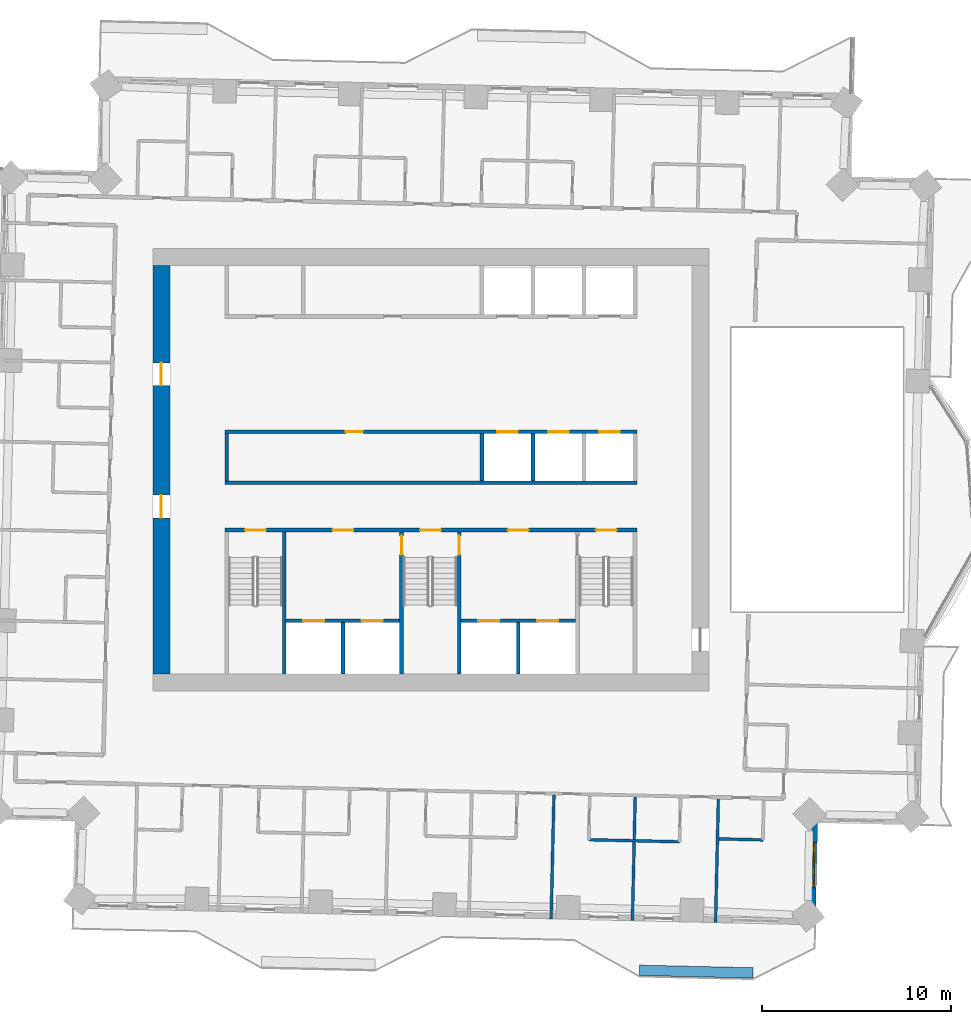
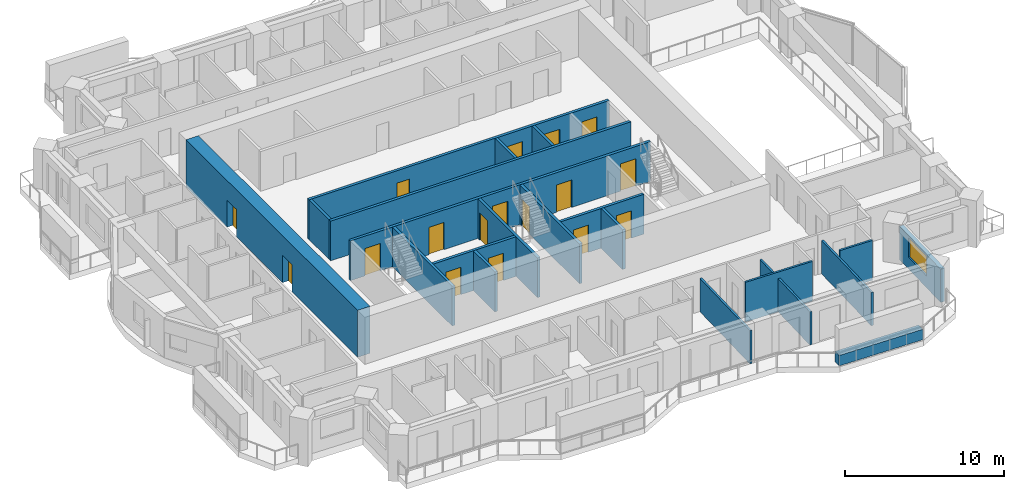
# One storey, part 6 of 14: 21 walls, 17 doors, 1 window, 18 openings.
"""IFC4 building model written with IfcOpenShell, lengths in metres."""

from ifc_helpers import new_model, si_unit, direction, frame, frame_2d, origin, place, context, subcontext, project, spatial, rectangle, extrude, material, layer, layer_set, type_object, element, fill, save


model = new_model("IFC4")

# Units and contexts
model_context = context("Model", 3, precision=1e-05, world=origin(), true_north=direction((0.0, 1.0)))
body_context = subcontext(model_context, "Body", "Model", "MODEL_VIEW")
ifc_project = project(units=[si_unit("LENGTHUNIT", "METRE"), si_unit("AREAUNIT", "SQUARE_METRE"), si_unit("VOLUMEUNIT", "CUBIC_METRE"), si_unit("PLANEANGLEUNIT", "RADIAN"), si_unit("MASSUNIT", "GRAM", prefix="KILO")], contexts=[model_context])

# Site, building, storey
site_placement = place(None, origin())
site = spatial("IfcSite", under=ifc_project, at=site_placement, CompositionType="ELEMENT")
building_placement = place(site_placement, origin())
building = spatial("IfcBuilding", under=site, at=building_placement, Name="Mangrove Gate Tower", CompositionType="ELEMENT")
storey_placement = place(building_placement, frame((0.0, 0.0, 167.10009765625)))
storey = spatial("IfcBuildingStorey", under=building, at=storey_placement, Name="L42", CompositionType="ELEMENT", Elevation=167.10009765625)

# Walls
ifc_material_1 = material(Name="Concrete C32/40", Category="concrete")
ifc_layer_1 = layer(ifc_material_1, 0.199951171875)
ifc_layer_set_1 = layer_set([ifc_layer_1], Name="Core room wall 200 C32/40")
wall_type_1 = type_object("IfcWallType", Name="Core room wall 200 C32/40", PredefinedType="STANDARD", material=ifc_layer_set_1)
wall_1_placement = place(storey_placement, frame((-10.800048828125, -0.60009765625, 0.0), z_axis=(0.0, 0.0, 1.0), x_axis=(0.0, 1.0, 0.0)))
element("IfcWall", 1, at=wall_1_placement, inside=storey, type_object=wall_type_1, Name="WALL-L42-CORE-19", PredefinedType="STANDARD", context=body_context, shape_type="SweptSolid", body=[
    extrude(rectangle(XDim=2.5, YDim=0.199951171875, at=frame_2d((1.25, 0.0))), origin(), (0.0, 0.0, 1.0), 3.0498046875),
])
ifc_material_2 = material(Name="Concrete C60/75", Category="concrete")
ifc_layer_2 = layer(ifc_material_2, 0.199951171875)
ifc_layer_set_2 = layer_set([ifc_layer_2], Name="Core shaft wall 200 C60/75")
wall_type_2 = type_object("IfcWallType", Name="Core shaft wall 200 C60/75", PredefinedType="SHEAR", material=ifc_layer_set_2)
wall_2_placement = place(storey_placement, frame((-10.89990234375, -0.699951171875, 0.0), z_axis=(0.0, 0.0, 1.0), x_axis=(1.0, 0.0, 0.0)))
element("IfcWall", 2, at=wall_2_placement, inside=storey, type_object=wall_type_2, Name="WALL-L42-CORE-6", PredefinedType="SHEAR", context=body_context, shape_type="SweptSolid", body=[
    extrude(rectangle(XDim=21.7998046875, YDim=0.199951171875, at=frame_2d((10.89990234375, 0.0))), origin(), (0.0, 0.0, 1.0), 3.0498046875),
])

# Wall, openings, doors
wall_3_placement = place(storey_placement, frame((-10.89990234375, 2.0, 0.0), z_axis=(0.0, 0.0, 1.0), x_axis=(1.0, 0.0, 0.0)))
wall_3 = element("IfcWall", 3, at=wall_3_placement, inside=storey, type_object=wall_type_2, Name="WALL-L42-CORE-7", PredefinedType="SHEAR", context=body_context, shape_type="SweptSolid", body=[
    extrude(rectangle(XDim=21.7998046875, YDim=0.199951171875, at=frame_2d((10.89990234375, 0.0))), origin(), (0.0, 0.0, 1.0), 3.0498046875),
])
opening_1_placement = place(wall_3_placement, frame((14.39990234375, 0.0, 0.0)))
opening_1 = element("IfcOpeningElement", 4, at=opening_1_placement, cuts=wall_3, Name="Opening LD", PredefinedType="OPENING", context=body_context, shape_type="SweptSolid", body=[
    extrude(rectangle(XDim=1.10009765625, YDim=2.10009765625, at=frame_2d((0.550048828125, 1.050048828125))), frame((0.0, 0.10986328125, 0.0), z_axis=(0.0, -1.0, 0.0), x_axis=(1.0, 0.0, 0.0)), (0.0, 0.0, 1.0), 0.219970703125),
])
opening_2_placement = place(wall_3_placement, frame((17.10009765625, 0.0, 0.0)))
opening_2 = element("IfcOpeningElement", 5, at=opening_2_placement, cuts=wall_3, Name="Opening LD", PredefinedType="OPENING", context=body_context, shape_type="SweptSolid", body=[
    extrude(rectangle(XDim=1.10009765625, YDim=2.10009765625, at=frame_2d((0.550048828125, 1.050048828125))), frame((0.0, 0.10986328125, 0.0), z_axis=(0.0, -1.0, 0.0), x_axis=(1.0, 0.0, 0.0)), (0.0, 0.0, 1.0), 0.219970703125),
])
opening_3_placement = place(wall_3_placement, frame((19.800048828125, 0.0, 0.0)))
opening_3 = element("IfcOpeningElement", 6, at=opening_3_placement, cuts=wall_3, Name="Opening LD", PredefinedType="OPENING", context=body_context, shape_type="SweptSolid", body=[
    extrude(rectangle(XDim=1.10009765625, YDim=2.10009765625, at=frame_2d((0.550048828125, 1.050048828125))), frame((0.0, 0.10986328125, 0.0), z_axis=(0.0, -1.0, 0.0), x_axis=(1.0, 0.0, 0.0)), (0.0, 0.0, 1.0), 0.219970703125),
])
opening_4_placement = place(wall_3_placement, frame((6.39990234375, 0.0, 0.0)))
opening_4 = element("IfcOpeningElement", 7, at=opening_4_placement, cuts=wall_3, Name="Opening RD", PredefinedType="OPENING", context=body_context, shape_type="SweptSolid", body=[
    extrude(rectangle(XDim=0.89990234375, YDim=2.10009765625, at=frame_2d((0.449951171875, 1.050048828125))), frame((0.0, 0.10986328125, 0.0), z_axis=(0.0, -1.0, 0.0), x_axis=(1.0, 0.0, 0.0)), (0.0, 0.0, 1.0), 0.219970703125),
])
ifc_material_3 = material(Name="Stainless steel 316", Category="steel")
door_type_1 = type_object("IfcDoorType", Name="Lift landing door 1100x2100", OperationType="SLIDING_TO_LEFT", PredefinedType="DOOR", material=ifc_material_3)
door_1_placement = place(opening_1_placement, origin())
door_1 = element("IfcDoor", 8, at=door_1_placement, inside=storey, type_object=door_type_1, Name="Landing door LD M01", OperationType="SLIDING_TO_LEFT", OverallHeight=2.10009765625, OverallWidth=1.10009765625, PredefinedType="DOOR", context=body_context, shape_type="SweptSolid", body=[
    extrude(rectangle(XDim=1.10009765625, YDim=2.10009765625, at=frame_2d((0.550048828125, 1.050048828125))), frame((0.0, 0.02490234375, 0.0), z_axis=(0.0, -1.0, 0.0), x_axis=(1.0, 0.0, 0.0)), (0.0, 0.0, 1.0), 0.050048828125),
])
fill(opening_1, door_1)
door_2_placement = place(opening_2_placement, origin())
door_2 = element("IfcDoor", 9, at=door_2_placement, inside=storey, type_object=door_type_1, Name="Landing door LD M02", OperationType="SLIDING_TO_LEFT", OverallHeight=2.10009765625, OverallWidth=1.10009765625, PredefinedType="DOOR", context=body_context, shape_type="SweptSolid", body=[
    extrude(rectangle(XDim=1.10009765625, YDim=2.10009765625, at=frame_2d((0.550048828125, 1.050048828125))), frame((0.0, 0.02490234375, 0.0), z_axis=(0.0, -1.0, 0.0), x_axis=(1.0, 0.0, 0.0)), (0.0, 0.0, 1.0), 0.050048828125),
])
fill(opening_2, door_2)
door_3_placement = place(opening_3_placement, origin())
door_3 = element("IfcDoor", 10, at=door_3_placement, inside=storey, type_object=door_type_1, Name="Landing door LD M03", OperationType="SLIDING_TO_LEFT", OverallHeight=2.10009765625, OverallWidth=1.10009765625, PredefinedType="DOOR", context=body_context, shape_type="SweptSolid", body=[
    extrude(rectangle(XDim=1.10009765625, YDim=2.10009765625, at=frame_2d((0.550048828125, 1.050048828125))), frame((0.0, 0.02490234375, 0.0), z_axis=(0.0, -1.0, 0.0), x_axis=(1.0, 0.0, 0.0)), (0.0, 0.0, 1.0), 0.050048828125),
])
fill(opening_3, door_3)
ifc_material_4 = material(Name="Fire-rated steel door set", Category="steel")
door_type_2 = type_object("IfcDoorType", Name="Riser door FD30S 900x2100", OperationType="SINGLE_SWING_LEFT", PredefinedType="DOOR", material=ifc_material_4)
door_4_placement = place(opening_4_placement, origin())
door_4 = element("IfcDoor", 11, at=door_4_placement, inside=storey, type_object=door_type_2, Name="Riser door Electrical room", OperationType="SINGLE_SWING_LEFT", OverallHeight=2.10009765625, OverallWidth=0.89990234375, PredefinedType="DOOR", context=body_context, shape_type="SweptSolid", body=[
    extrude(rectangle(XDim=0.89990234375, YDim=2.10009765625, at=frame_2d((0.449951171875, 1.050048828125))), frame((0.0, 0.02490234375, 0.0), z_axis=(0.0, -1.0, 0.0), x_axis=(1.0, 0.0, 0.0)), (0.0, 0.0, 1.0), 0.050048828125),
])
fill(opening_4, door_4)

wall_4_placement = place(storey_placement, frame((-7.64990234375, -8.0, 0.0), z_axis=(0.0, 0.0, 1.0), x_axis=(1.0, 0.0, 0.0)))
wall_4 = element("IfcWall", 12, at=wall_4_placement, inside=storey, type_object=wall_type_2, Name="WALL-L42-CORE-15", PredefinedType="SHEAR", context=body_context, shape_type="SweptSolid", body=[
    extrude(rectangle(XDim=6.0, YDim=0.199951171875, at=frame_2d((3.0, 0.0))), origin(), (0.0, 0.0, 1.0), 3.0498046875),
])
opening_5_placement = place(wall_4_placement, frame((0.89990234375, 0.0, 0.0)))
opening_5 = element("IfcOpeningElement", 13, at=opening_5_placement, cuts=wall_4, Name="Opening LD", PredefinedType="OPENING", context=body_context, shape_type="SweptSolid", body=[
    extrude(rectangle(XDim=1.10009765625, YDim=2.10009765625, at=frame_2d((0.550048828125, 1.050048828125))), frame((0.0, 0.10986328125, 0.0), z_axis=(0.0, -1.0, 0.0), x_axis=(1.0, 0.0, 0.0)), (0.0, 0.0, 1.0), 0.219970703125),
])
opening_6_placement = place(wall_4_placement, frame((4.0, 0.0, 0.0)))
opening_6 = element("IfcOpeningElement", 14, at=opening_6_placement, cuts=wall_4, Name="Opening LD", PredefinedType="OPENING", context=body_context, shape_type="SweptSolid", body=[
    extrude(rectangle(XDim=1.10009765625, YDim=2.10009765625, at=frame_2d((0.550048828125, 1.050048828125))), frame((0.0, 0.10986328125, 0.0), z_axis=(0.0, -1.0, 0.0), x_axis=(1.0, 0.0, 0.0)), (0.0, 0.0, 1.0), 0.219970703125),
])
door_5_placement = place(opening_5_placement, origin())
door_5 = element("IfcDoor", 15, at=door_5_placement, inside=storey, type_object=door_type_1, Name="Landing door LD SVL1", OperationType="SLIDING_TO_LEFT", OverallHeight=2.10009765625, OverallWidth=1.10009765625, PredefinedType="DOOR", context=body_context, shape_type="SweptSolid", body=[
    extrude(rectangle(XDim=1.10009765625, YDim=2.10009765625, at=frame_2d((0.550048828125, 1.050048828125))), frame((0.0, 0.02490234375, 0.0), z_axis=(0.0, -1.0, 0.0), x_axis=(1.0, 0.0, 0.0)), (0.0, 0.0, 1.0), 0.050048828125),
])
fill(opening_5, door_5)
door_6_placement = place(opening_6_placement, origin())
door_6 = element("IfcDoor", 16, at=door_6_placement, inside=storey, type_object=door_type_1, Name="Landing door LD SVL2", OperationType="SLIDING_TO_LEFT", OverallHeight=2.10009765625, OverallWidth=1.10009765625, PredefinedType="DOOR", context=body_context, shape_type="SweptSolid", body=[
    extrude(rectangle(XDim=1.10009765625, YDim=2.10009765625, at=frame_2d((0.550048828125, 1.050048828125))), frame((0.0, 0.02490234375, 0.0), z_axis=(0.0, -1.0, 0.0), x_axis=(1.0, 0.0, 0.0)), (0.0, 0.0, 1.0), 0.050048828125),
])
fill(opening_6, door_6)

# Wall
wall_5_placement = place(storey_placement, frame((-4.64990234375, -10.800048828125, 0.0), z_axis=(0.0, 0.0, 1.0), x_axis=(0.0, 1.0, 0.0)))
element("IfcWall", 17, at=wall_5_placement, inside=storey, type_object=wall_type_2, Name="WALL-L42-CORE-16", PredefinedType="SHEAR", context=body_context, shape_type="SweptSolid", body=[
    extrude(rectangle(XDim=2.699951171875, YDim=0.199951171875, at=frame_2d((1.35009765625, 0.0))), origin(), (0.0, 0.0, 1.0), 3.0498046875),
])

# Wall, openings, doors
wall_6_placement = place(storey_placement, frame((1.60009765625, -8.0, 0.0), z_axis=(0.0, 0.0, 1.0), x_axis=(1.0, 0.0, 0.0)))
wall_6 = element("IfcWall", 18, at=wall_6_placement, inside=storey, type_object=wall_type_2, Name="WALL-L42-CORE-17", PredefinedType="SHEAR", context=body_context, shape_type="SweptSolid", body=[
    extrude(rectangle(XDim=6.0498046875, YDim=0.199951171875, at=frame_2d((3.02490234375, 0.0))), origin(), (0.0, 0.0, 1.0), 3.0498046875),
])
opening_7_placement = place(wall_6_placement, frame((0.91259765625, 0.0, 0.0)))
opening_7 = element("IfcOpeningElement", 19, at=opening_7_placement, cuts=wall_6, Name="Opening LD", PredefinedType="OPENING", context=body_context, shape_type="SweptSolid", body=[
    extrude(rectangle(XDim=1.10009765625, YDim=2.10009765625, at=frame_2d((0.550048828125, 1.050048828125))), frame((0.0, 0.10986328125, 0.0), z_axis=(0.0, -1.0, 0.0), x_axis=(1.0, 0.0, 0.0)), (0.0, 0.0, 1.0), 0.219970703125),
])
opening_8_placement = place(wall_6_placement, frame((4.03759765625, 0.0, 0.0)))
opening_8 = element("IfcOpeningElement", 20, at=opening_8_placement, cuts=wall_6, Name="Opening LD", PredefinedType="OPENING", context=body_context, shape_type="SweptSolid", body=[
    extrude(rectangle(XDim=1.10009765625, YDim=2.10009765625, at=frame_2d((0.550048828125, 1.050048828125))), frame((0.0, 0.10986328125, 0.0), z_axis=(0.0, -1.0, 0.0), x_axis=(1.0, 0.0, 0.0)), (0.0, 0.0, 1.0), 0.219970703125),
])
door_7_placement = place(opening_7_placement, origin())
door_7 = element("IfcDoor", 21, at=door_7_placement, inside=storey, type_object=door_type_1, Name="Landing door LD FFL1", OperationType="SLIDING_TO_LEFT", OverallHeight=2.10009765625, OverallWidth=1.10009765625, PredefinedType="DOOR", context=body_context, shape_type="SweptSolid", body=[
    extrude(rectangle(XDim=1.10009765625, YDim=2.10009765625, at=frame_2d((0.550048828125, 1.050048828125))), frame((0.0, 0.02490234375, 0.0), z_axis=(0.0, -1.0, 0.0), x_axis=(1.0, 0.0, 0.0)), (0.0, 0.0, 1.0), 0.050048828125),
])
fill(opening_7, door_7)
door_8_placement = place(opening_8_placement, origin())
door_8 = element("IfcDoor", 22, at=door_8_placement, inside=storey, type_object=door_type_1, Name="Landing door LD FFL2", OperationType="SLIDING_TO_LEFT", OverallHeight=2.10009765625, OverallWidth=1.10009765625, PredefinedType="DOOR", context=body_context, shape_type="SweptSolid", body=[
    extrude(rectangle(XDim=1.10009765625, YDim=2.10009765625, at=frame_2d((0.550048828125, 1.050048828125))), frame((0.0, 0.02490234375, 0.0), z_axis=(0.0, -1.0, 0.0), x_axis=(1.0, 0.0, 0.0)), (0.0, 0.0, 1.0), 0.050048828125),
])
fill(opening_8, door_8)

# Walls
wall_7_placement = place(storey_placement, frame((4.625, -10.800048828125, 0.0), z_axis=(0.0, 0.0, 1.0), x_axis=(0.0, 1.0, 0.0)))
element("IfcWall", 23, at=wall_7_placement, inside=storey, type_object=wall_type_2, Name="WALL-L42-CORE-18", PredefinedType="SHEAR", context=body_context, shape_type="SweptSolid", body=[
    extrude(rectangle(XDim=2.699951171875, YDim=0.199951171875, at=frame_2d((1.35009765625, 0.0))), origin(), (0.0, 0.0, 1.0), 3.0498046875),
])
for number, where, z_axis, x_axis, name in (
    (24, (2.699951171875, -0.60009765625, 0.0), (0.0, 0.0, 1.0), (0.0, 1.0, 0.0), "WALL-L42-CORE-20"),
    (25, (5.39990234375, -0.60009765625, 0.0), (0.0, 0.0, 1.0), (0.0, 1.0, 0.0), "WALL-L42-CORE-21"),
):
    element("IfcWall", number, at=place(storey_placement, frame(where, z_axis=z_axis, x_axis=x_axis)), inside=storey, type_object=wall_type_2, Name=name, PredefinedType="SHEAR", context=body_context, shape_type="SweptSolid", body=[
        extrude(rectangle(XDim=2.5, YDim=0.199951171875, at=frame_2d((1.25, 0.0))), origin(), (0.0, 0.0, 1.0), 3.0498046875),
    ])

# Wall, openings, doors
ifc_material_5 = material(Name="Concrete C60/75", Category="concrete")
ifc_layer_3 = layer(ifc_material_5, 0.199951171875)
ifc_layer_set_3 = layer_set([ifc_layer_3], Name="Core stair wall 200 C60/75")
wall_type_3 = type_object("IfcWallType", Name="Core stair wall 200 C60/75", PredefinedType="SHEAR", material=ifc_layer_set_3)
wall_8_placement = place(storey_placement, frame((-10.89990234375, -3.199951171875, 0.0), z_axis=(0.0, 0.0, 1.0), x_axis=(1.0, 0.0, 0.0)))
wall_8 = element("IfcWall", 26, at=wall_8_placement, inside=storey, type_object=wall_type_3, Name="WALL-L42-CORE-5", PredefinedType="SHEAR", context=body_context, shape_type="SweptSolid", body=[
    extrude(rectangle(XDim=21.7998046875, YDim=0.199951171875, at=frame_2d((10.89990234375, 0.0))), origin(), (0.0, 0.0, 1.0), 3.0498046875),
])
opening_9_placement = place(wall_8_placement, frame((1.074951171875, 0.0, 0.0)))
opening_9 = element("IfcOpeningElement", 27, at=opening_9_placement, cuts=wall_8, Name="Opening STD11", PredefinedType="OPENING", context=body_context, shape_type="SweptSolid", body=[
    extrude(rectangle(XDim=1.10009765625, YDim=2.10009765625, at=frame_2d((0.550048828125, 1.050048828125))), frame((0.0, 0.10986328125, 0.0), z_axis=(0.0, -1.0, 0.0), x_axis=(1.0, 0.0, 0.0)), (0.0, 0.0, 1.0), 0.219970703125),
])
opening_10_placement = place(wall_8_placement, frame((10.324951171875, 0.0, 0.0)))
opening_10 = element("IfcOpeningElement", 28, at=opening_10_placement, cuts=wall_8, Name="Opening STD11", PredefinedType="OPENING", context=body_context, shape_type="SweptSolid", body=[
    extrude(rectangle(XDim=1.10009765625, YDim=2.10009765625, at=frame_2d((0.550048828125, 1.050048828125))), frame((0.0, 0.10986328125, 0.0), z_axis=(0.0, -1.0, 0.0), x_axis=(1.0, 0.0, 0.0)), (0.0, 0.0, 1.0), 0.219970703125),
])
opening_11_placement = place(wall_8_placement, frame((19.625, 0.0, 0.0)))
opening_11 = element("IfcOpeningElement", 29, at=opening_11_placement, cuts=wall_8, Name="Opening STD11", PredefinedType="OPENING", context=body_context, shape_type="SweptSolid", body=[
    extrude(rectangle(XDim=1.10009765625, YDim=2.10009765625, at=frame_2d((0.550048828125, 1.050048828125))), frame((0.0, 0.10986328125, 0.0), z_axis=(0.0, -1.0, 0.0), x_axis=(1.0, 0.0, 0.0)), (0.0, 0.0, 1.0), 0.219970703125),
])
opening_12_placement = place(wall_8_placement, frame((5.699951171875, 0.0, 0.0)))
opening_12 = element("IfcOpeningElement", 30, at=opening_12_placement, cuts=wall_8, Name="Opening FL", PredefinedType="OPENING", context=body_context, shape_type="SweptSolid", body=[
    extrude(rectangle(XDim=1.10009765625, YDim=2.10009765625, at=frame_2d((0.550048828125, 1.050048828125))), frame((0.0, 0.10986328125, 0.0), z_axis=(0.0, -1.0, 0.0), x_axis=(1.0, 0.0, 0.0)), (0.0, 0.0, 1.0), 0.219970703125),
])
opening_13_placement = place(wall_8_placement, frame((14.97509765625, 0.0, 0.0)))
opening_13 = element("IfcOpeningElement", 31, at=opening_13_placement, cuts=wall_8, Name="Opening FL", PredefinedType="OPENING", context=body_context, shape_type="SweptSolid", body=[
    extrude(rectangle(XDim=1.10009765625, YDim=2.10009765625, at=frame_2d((0.550048828125, 1.050048828125))), frame((0.0, 0.10986328125, 0.0), z_axis=(0.0, -1.0, 0.0), x_axis=(1.0, 0.0, 0.0)), (0.0, 0.0, 1.0), 0.219970703125),
])
ifc_material_6 = material(Name="Fire-rated steel door set", Category="steel")
door_type_3 = type_object("IfcDoorType", Name="Lobby door FD60 1100x2100", OperationType="SINGLE_SWING_LEFT", PredefinedType="DOOR", material=ifc_material_6)
door_9_placement = place(opening_12_placement, origin())
door_9 = element("IfcDoor", 32, at=door_9_placement, inside=storey, type_object=door_type_3, Name="Lobby door service lobby", OperationType="SINGLE_SWING_LEFT", OverallHeight=2.10009765625, OverallWidth=1.10009765625, PredefinedType="DOOR", context=body_context, shape_type="SweptSolid", body=[
    extrude(rectangle(XDim=1.10009765625, YDim=2.10009765625, at=frame_2d((0.550048828125, 1.050048828125))), frame((0.0, 0.02490234375, 0.0), z_axis=(0.0, -1.0, 0.0), x_axis=(1.0, 0.0, 0.0)), (0.0, 0.0, 1.0), 0.050048828125),
])
fill(opening_12, door_9)
door_10_placement = place(opening_13_placement, origin())
door_10 = element("IfcDoor", 33, at=door_10_placement, inside=storey, type_object=door_type_3, Name="Lobby door fire-fighting lobby", OperationType="SINGLE_SWING_LEFT", OverallHeight=2.10009765625, OverallWidth=1.10009765625, PredefinedType="DOOR", context=body_context, shape_type="SweptSolid", body=[
    extrude(rectangle(XDim=1.10009765625, YDim=2.10009765625, at=frame_2d((0.550048828125, 1.050048828125))), frame((0.0, 0.02490234375, 0.0), z_axis=(0.0, -1.0, 0.0), x_axis=(1.0, 0.0, 0.0)), (0.0, 0.0, 1.0), 0.050048828125),
])
fill(opening_13, door_10)
ifc_material_7 = material(Name="Fire-rated steel door set", Category="steel")
door_type_4 = type_object("IfcDoorType", Name="Stair door FD60 1100x2100", OperationType="SINGLE_SWING_RIGHT", PredefinedType="DOOR", material=ifc_material_7)
door_11_placement = place(opening_9_placement, origin())
door_11 = element("IfcDoor", 34, at=door_11_placement, inside=storey, type_object=door_type_4, Name="Stair door Stair 1", OperationType="SINGLE_SWING_RIGHT", OverallHeight=2.10009765625, OverallWidth=1.10009765625, PredefinedType="DOOR", context=body_context, shape_type="SweptSolid", body=[
    extrude(rectangle(XDim=1.10009765625, YDim=2.10009765625, at=frame_2d((0.550048828125, 1.050048828125))), frame((0.0, 0.02490234375, 0.0), z_axis=(0.0, -1.0, 0.0), x_axis=(1.0, 0.0, 0.0)), (0.0, 0.0, 1.0), 0.050048828125),
])
fill(opening_9, door_11)
door_12_placement = place(opening_10_placement, origin())
door_12 = element("IfcDoor", 35, at=door_12_placement, inside=storey, type_object=door_type_4, Name="Stair door Stair 2", OperationType="SINGLE_SWING_RIGHT", OverallHeight=2.10009765625, OverallWidth=1.10009765625, PredefinedType="DOOR", context=body_context, shape_type="SweptSolid", body=[
    extrude(rectangle(XDim=1.10009765625, YDim=2.10009765625, at=frame_2d((0.550048828125, 1.050048828125))), frame((0.0, 0.02490234375, 0.0), z_axis=(0.0, -1.0, 0.0), x_axis=(1.0, 0.0, 0.0)), (0.0, 0.0, 1.0), 0.050048828125),
])
fill(opening_10, door_12)
door_13_placement = place(opening_11_placement, origin())
door_13 = element("IfcDoor", 36, at=door_13_placement, inside=storey, type_object=door_type_4, Name="Stair door Stair 3", OperationType="SINGLE_SWING_RIGHT", OverallHeight=2.10009765625, OverallWidth=1.10009765625, PredefinedType="DOOR", context=body_context, shape_type="SweptSolid", body=[
    extrude(rectangle(XDim=1.10009765625, YDim=2.10009765625, at=frame_2d((0.550048828125, 1.050048828125))), frame((0.0, 0.02490234375, 0.0), z_axis=(0.0, -1.0, 0.0), x_axis=(1.0, 0.0, 0.0)), (0.0, 0.0, 1.0), 0.050048828125),
])
fill(opening_11, door_13)

# Wall
wall_9_placement = place(storey_placement, frame((-7.75, -10.800048828125, 0.0), z_axis=(0.0, 0.0, 1.0), x_axis=(0.0, 1.0, 0.0)))
element("IfcWall", 37, at=wall_9_placement, inside=storey, type_object=wall_type_3, Name="WALL-L42-CORE-10", PredefinedType="SHEAR", context=body_context, shape_type="SweptSolid", body=[
    extrude(rectangle(XDim=7.5, YDim=0.199951171875, at=frame_2d((3.75, 0.0))), origin(), (0.0, 0.0, 1.0), 3.0498046875),
])

# Wall, opening, door
wall_10_placement = place(storey_placement, frame((-1.550048828125, -10.800048828125, 0.0), z_axis=(0.0, 0.0, 1.0), x_axis=(0.0, 1.0, 0.0)))
wall_10 = element("IfcWall", 38, at=wall_10_placement, inside=storey, type_object=wall_type_3, Name="WALL-L42-CORE-11", PredefinedType="SHEAR", context=body_context, shape_type="SweptSolid", body=[
    extrude(rectangle(XDim=7.5, YDim=0.199951171875, at=frame_2d((3.75, 0.0))), origin(), (0.0, 0.0, 1.0), 3.0498046875),
])
opening_14_placement = place(wall_10_placement, frame((6.300048828125, 0.0, 0.0)))
opening_14 = element("IfcOpeningElement", 39, at=opening_14_placement, cuts=wall_10, Name="Opening STD10", PredefinedType="OPENING", context=body_context, shape_type="SweptSolid", body=[
    extrude(rectangle(XDim=1.0, YDim=2.10009765625, at=frame_2d((0.5, 1.050048828125))), frame((0.0, 0.10986328125, 0.0), z_axis=(0.0, -1.0, 0.0), x_axis=(1.0, 0.0, 0.0)), (0.0, 0.0, 1.0), 0.219970703125),
])
ifc_material_8 = material(Name="Fire-rated steel door set", Category="steel")
door_type_5 = type_object("IfcDoorType", Name="Stair door FD60 1000x2100", OperationType="SINGLE_SWING_RIGHT", PredefinedType="DOOR", material=ifc_material_8)
door_14_placement = place(opening_14_placement, origin())
door_14 = element("IfcDoor", 40, at=door_14_placement, inside=storey, type_object=door_type_5, Name="Stair door Stair 2 from service lobby", OperationType="SINGLE_SWING_RIGHT", OverallHeight=2.10009765625, OverallWidth=1.0, PredefinedType="DOOR", context=body_context, shape_type="SweptSolid", body=[
    extrude(rectangle(XDim=1.0, YDim=2.10009765625, at=frame_2d((0.5, 1.050048828125))), frame((0.0, 0.02490234375, 0.0), z_axis=(0.0, -1.0, 0.0), x_axis=(1.0, 0.0, 0.0)), (0.0, 0.0, 1.0), 0.050048828125),
])
fill(opening_14, door_14)

wall_11_placement = place(storey_placement, frame((1.5, -10.800048828125, 0.0), z_axis=(0.0, 0.0, 1.0), x_axis=(0.0, 1.0, 0.0)))
wall_11 = element("IfcWall", 41, at=wall_11_placement, inside=storey, type_object=wall_type_3, Name="WALL-L42-CORE-12", PredefinedType="SHEAR", context=body_context, shape_type="SweptSolid", body=[
    extrude(rectangle(XDim=7.5, YDim=0.199951171875, at=frame_2d((3.75, 0.0))), origin(), (0.0, 0.0, 1.0), 3.0498046875),
])
opening_15_placement = place(wall_11_placement, frame((6.300048828125, 0.0, 0.0)))
opening_15 = element("IfcOpeningElement", 42, at=opening_15_placement, cuts=wall_11, Name="Opening STD10", PredefinedType="OPENING", context=body_context, shape_type="SweptSolid", body=[
    extrude(rectangle(XDim=1.0, YDim=2.10009765625, at=frame_2d((0.5, 1.050048828125))), frame((0.0, 0.10986328125, 0.0), z_axis=(0.0, -1.0, 0.0), x_axis=(1.0, 0.0, 0.0)), (0.0, 0.0, 1.0), 0.219970703125),
])
door_15_placement = place(opening_15_placement, origin())
door_15 = element("IfcDoor", 43, at=door_15_placement, inside=storey, type_object=door_type_5, Name="Stair door Stair 2 from fire-fighting lobby", OperationType="SINGLE_SWING_RIGHT", OverallHeight=2.10009765625, OverallWidth=1.0, PredefinedType="DOOR", context=body_context, shape_type="SweptSolid", body=[
    extrude(rectangle(XDim=1.0, YDim=2.10009765625, at=frame_2d((0.5, 1.050048828125))), frame((0.0, 0.02490234375, 0.0), z_axis=(0.0, -1.0, 0.0), x_axis=(1.0, 0.0, 0.0)), (0.0, 0.0, 1.0), 0.050048828125),
])
fill(opening_15, door_15)

# Wall, openings, doors
ifc_material_9 = material(Name="Concrete C60/75", Category="concrete")
ifc_layer_4 = layer(ifc_material_9, 0.89990234375)
ifc_layer_set_4 = layer_set([ifc_layer_4], Name="Core wall 900 C60/75")
wall_type_4 = type_object("IfcWallType", Name="Core wall 900 C60/75", PredefinedType="SHEAR", material=ifc_layer_set_4)
wall_12_placement = place(storey_placement, frame((-14.25, -10.800048828125, 0.0), z_axis=(0.0, 0.0, 1.0), x_axis=(0.0, 1.0, 0.0)))
wall_12 = element("IfcWall", 44, at=wall_12_placement, inside=storey, type_object=wall_type_4, Name="WALL-L42-CORE-3", PredefinedType="SHEAR", context=body_context, shape_type="SweptSolid", body=[
    extrude(rectangle(XDim=21.60009765625, YDim=0.89990234375, at=frame_2d((10.800048828125, 0.0))), origin(), (0.0, 0.0, 1.0), 3.599853515625),
])
opening_16_placement = place(wall_12_placement, frame((8.25, 0.0, 0.0)))
opening_16 = element("IfcOpeningElement", 45, at=opening_16_placement, cuts=wall_12, Name="Opening CD", PredefinedType="OPENING", context=body_context, shape_type="SweptSolid", body=[
    extrude(rectangle(XDim=1.199951171875, YDim=2.10009765625, at=frame_2d((0.60009765625, 1.050048828125))), frame((0.0, 0.4599609375, 0.0), z_axis=(0.0, -1.0, 0.0), x_axis=(1.0, 0.0, 0.0)), (0.0, 0.0, 1.0), 0.919921875),
])
opening_17_placement = place(wall_12_placement, frame((15.25, 0.0, 0.0)))
opening_17 = element("IfcOpeningElement", 46, at=opening_17_placement, cuts=wall_12, Name="Opening CD", PredefinedType="OPENING", context=body_context, shape_type="SweptSolid", body=[
    extrude(rectangle(XDim=1.199951171875, YDim=2.10009765625, at=frame_2d((0.60009765625, 1.050048828125))), frame((0.0, 0.4599609375, 0.0), z_axis=(0.0, -1.0, 0.0), x_axis=(1.0, 0.0, 0.0)), (0.0, 0.0, 1.0), 0.919921875),
])
ifc_material_10 = material(Name="Fire-rated steel door set", Category="steel")
door_type_6 = type_object("IfcDoorType", Name="Core ring door FD60 1200x2100", OperationType="DOUBLE_DOOR_SINGLE_SWING", PredefinedType="DOOR", material=ifc_material_10)
door_16_placement = place(opening_16_placement, origin())
door_16 = element("IfcDoor", 47, at=door_16_placement, inside=storey, type_object=door_type_6, Name="Core ring door W1", OperationType="DOUBLE_DOOR_SINGLE_SWING", OverallHeight=2.10009765625, OverallWidth=1.199951171875, PredefinedType="DOOR", context=body_context, shape_type="SweptSolid", body=[
    extrude(rectangle(XDim=1.199951171875, YDim=2.10009765625, at=frame_2d((0.60009765625, 1.050048828125))), frame((0.0, 0.02490234375, 0.0), z_axis=(0.0, -1.0, 0.0), x_axis=(1.0, 0.0, 0.0)), (0.0, 0.0, 1.0), 0.050048828125),
])
fill(opening_16, door_16)
door_17_placement = place(opening_17_placement, origin())
door_17 = element("IfcDoor", 48, at=door_17_placement, inside=storey, type_object=door_type_6, Name="Core ring door W2", OperationType="DOUBLE_DOOR_SINGLE_SWING", OverallHeight=2.10009765625, OverallWidth=1.199951171875, PredefinedType="DOOR", context=body_context, shape_type="SweptSolid", body=[
    extrude(rectangle(XDim=1.199951171875, YDim=2.10009765625, at=frame_2d((0.60009765625, 1.050048828125))), frame((0.0, 0.02490234375, 0.0), z_axis=(0.0, -1.0, 0.0), x_axis=(1.0, 0.0, 0.0)), (0.0, 0.0, 1.0), 0.050048828125),
])
fill(opening_17, door_17)

# Wall, opening, window
ifc_material_11 = material(Name="Limestone", Category="masonry")
ifc_layer_5 = layer(ifc_material_11, 0.0400390625, Name="Limestone cladding")
ifc_material_12 = material(Name="Ventilated air gap")
ifc_layer_6 = layer(ifc_material_12, 0.0400390625, Name="Ventilated cavity")
ifc_material_13 = material(Name="Mineral wool insulation")
ifc_layer_7 = layer(ifc_material_13, 0.06005859375, Name="Insulation")
ifc_material_14 = material(Name="Breather membrane")
ifc_layer_8 = layer(ifc_material_14, 0.001953125, Name="Breather membrane")
ifc_material_15 = material(Name="Concrete C20/25 blockwork", Category="masonry")
ifc_layer_9 = layer(ifc_material_15, 0.14990234375, Name="Blockwork backing wall")
ifc_material_16 = material(Name="Gypsum plaster")
ifc_layer_10 = layer(ifc_material_16, 0.008056640625, Name="Internal plaster")
ifc_layer_set_5 = layer_set([ifc_layer_5, ifc_layer_6, ifc_layer_7, ifc_layer_8, ifc_layer_9, ifc_layer_10], Name="External wall 300 limestone cladding")
wall_type_5 = type_object("IfcWallType", Name="External wall 300 limestone cladding", PredefinedType="SOLIDWALL", material=ifc_layer_set_5)
wall_13_placement = place(storey_placement, frame((20.18896484375, -23.927001953125, 0.0), z_axis=(0.0, 0.0, 1.0), x_axis=(0.022789195272, 0.999740292565, 0.0)))
wall_13 = element("IfcWall", 49, at=wall_13_placement, inside=storey, type_object=wall_type_5, Name="WALL-L42-E14", PredefinedType="SOLIDWALL", context=body_context, shape_type="SweptSolid", body=[
    extrude(rectangle(XDim=5.3994140625, YDim=0.300048828125, at=frame_2d((2.69970703125, 0.0))), origin(), (0.0, 0.0, 1.0), 2.5498046875),
])
opening_18_placement = place(wall_13_placement, frame((1.81005859375, 0.0, 0.89990234375)))
opening_18 = element("IfcOpeningElement", 50, at=opening_18_placement, cuts=wall_13, Name="Opening W2", PredefinedType="OPENING", context=body_context, shape_type="SweptSolid", body=[
    extrude(rectangle(XDim=2.39990234375, YDim=1.5, at=frame_2d((1.199951171875, 0.75))), frame((0.0, 0.159912109375, 0.0), z_axis=(0.0, -1.0, 0.0), x_axis=(1.0, 0.0, 0.0)), (0.0, 0.0, 1.0), 0.320068359375),
])
ifc_material_17 = material(Name="Aluminium frame with double-glazed low-e glass", Category="aluminium")
window_type = type_object("IfcWindowType", Name="Corner room window 2400x1500", PartitioningType="DOUBLE_PANEL_VERTICAL", PredefinedType="WINDOW", material=ifc_material_17)
window_placement = place(opening_18_placement, origin())
window = element("IfcWindow", 51, at=window_placement, inside=storey, type_object=window_type, Name="WIN-L42-E14-1", OverallHeight=1.5, OverallWidth=2.39990234375, PartitioningType="DOUBLE_PANEL_VERTICAL", PredefinedType="WINDOW", context=body_context, shape_type="SweptSolid", body=[
    extrude(rectangle(XDim=2.39990234375, YDim=1.5, at=frame_2d((1.199951171875, 0.75))), frame((0.0, 0.030029296875, 0.0), z_axis=(0.0, -1.0, 0.0), x_axis=(1.0, 0.0, 0.0)), (0.0, 0.0, 1.0), 0.06005859375),
])
fill(opening_18, window)

# Walls
ifc_material_18 = material(Name="Gypsum board on steel stud, EI 60", Category="steel")
ifc_layer_11 = layer(ifc_material_18, 0.14990234375)
ifc_layer_set_6 = layer_set([ifc_layer_11], Name="Party wall 150 EI 60")
wall_type_6 = type_object("IfcWallType", Name="Party wall 150 EI 60", PredefinedType="PARTITIONING", material=ifc_layer_set_6)
wall_14_placement = place(storey_placement, frame((6.360107421875, -23.763916015625, 0.0), z_axis=(0.0, 0.0, 1.0), x_axis=(0.022582580084, 0.999744981021, 0.0)))
element("IfcWall", 52, at=wall_14_placement, inside=storey, type_object=wall_type_6, Name="WALL-L42-006", PredefinedType="PARTITIONING", context=body_context, shape_type="SweptSolid", body=[
    extrude(rectangle(XDim=6.551513671875, YDim=0.14990234375, at=frame_2d((3.27587890625, 0.0))), origin(), (0.0, 0.0, 1.0), 2.5498046875),
])
wall_15_placement = place(storey_placement, frame((10.657958984375, -23.861083984375, 0.0), z_axis=(0.0, 0.0, 1.0), x_axis=(0.022734104141, 0.999741546855, 0.0)))
element("IfcWall", 53, at=wall_15_placement, inside=storey, type_object=wall_type_6, Name="WALL-L42-007", PredefinedType="PARTITIONING", context=body_context, shape_type="SweptSolid", body=[
    extrude(rectangle(XDim=6.55078125, YDim=0.14990234375, at=frame_2d((3.275390625, 0.0))), origin(), (0.0, 0.0, 1.0), 2.5498046875),
])
wall_16_placement = place(storey_placement, frame((15.056884765625, -23.9609375, 0.0), z_axis=(0.0, 0.0, 1.0), x_axis=(0.022709507457, 0.999742105881, 0.0)))
element("IfcWall", 54, at=wall_16_placement, inside=storey, type_object=wall_type_6, Name="WALL-L42-008", PredefinedType="PARTITIONING", context=body_context, shape_type="SweptSolid", body=[
    extrude(rectangle(XDim=6.525634765625, YDim=0.14990234375, at=frame_2d((3.2626953125, 0.0))), origin(), (0.0, 0.0, 1.0), 2.5498046875),
])
wall_17_placement = place(storey_placement, frame((8.35498046875, -19.577880859375, 0.0), z_axis=(0.0, 0.0, 1.0), x_axis=(0.99974154664, -0.022734113616, 0.0)))
element("IfcWall", 55, at=wall_17_placement, inside=storey, type_object=wall_type_6, Name="WALL-L42-019", PredefinedType="PARTITIONING", context=body_context, shape_type="SweptSolid", body=[
    extrude(rectangle(XDim=4.80029296875, YDim=0.14990234375, at=frame_2d((2.400146484375, 0.0))), origin(), (0.0, 0.0, 1.0), 3.0498046875),
])
wall_18_placement = place(storey_placement, frame((15.23291015625, -19.533935546875, 0.0), z_axis=(0.0, 0.0, 1.0), x_axis=(0.999740260747, -0.02279059109, 0.0)))
element("IfcWall", 56, at=wall_18_placement, inside=storey, type_object=wall_type_6, Name="WALL-L42-021", PredefinedType="PARTITIONING", context=body_context, shape_type="SweptSolid", body=[
    extrude(rectangle(XDim=2.324462890625, YDim=0.14990234375, at=frame_2d((1.162109375, 0.0))), origin(), (0.0, 0.0, 1.0), 3.0498046875),
])
ifc_material_19 = material(Name="Concrete C32/40", Category="concrete")
ifc_layer_12 = layer(ifc_material_19, 0.199951171875, Name="Planter trough wall")
ifc_material_20 = material(Name="Bituminous waterproofing membrane")
ifc_layer_13 = layer(ifc_material_20, 0.0048828125, Name="Waterproofing")
ifc_material_21 = material(Name="Drainage board and gravel")
ifc_layer_14 = layer(ifc_material_21, 0.044921875, Name="Drainage layer")
ifc_material_22 = material(Name="Planting soil")
ifc_layer_15 = layer(ifc_material_22, 0.300048828125, Name="Growing medium")
ifc_layer_set_7 = layer_set([ifc_layer_12, ifc_layer_13, ifc_layer_14, ifc_layer_15], Name="Planter wall 550 C32/40")
wall_type_7 = type_object("IfcWallType", Name="Planter wall 550 C32/40", PredefinedType="USERDEFINED", material=ifc_layer_set_7)
wall_19_placement = place(storey_placement, frame((11.0390625, -26.486083984375, 0.0), z_axis=(0.0, 0.0, 1.0), x_axis=(0.999743094499, -0.022665943652, 0.0)))
element("IfcWall", 57, at=wall_19_placement, inside=storey, type_object=wall_type_7, Name="PLANTER L42 S1.1", ObjectType="PLANTER", PredefinedType="USERDEFINED", context=body_context, shape_type="SweptSolid", body=[
    extrude(rectangle(XDim=5.99951171875, YDim=0.550048828125, at=frame_2d((2.999755859375, 0.0))), origin(), (0.0, 0.0, 1.0), 0.7998046875),
])

save(model, "model.ifc")
